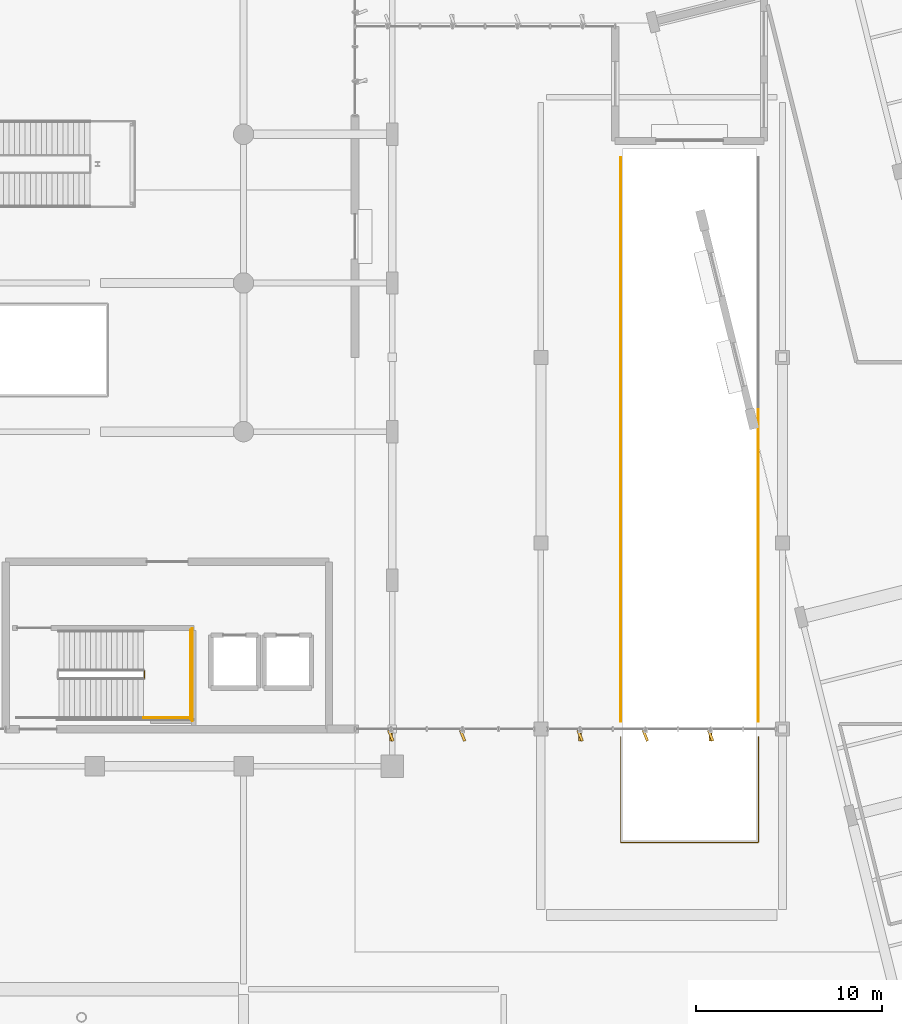
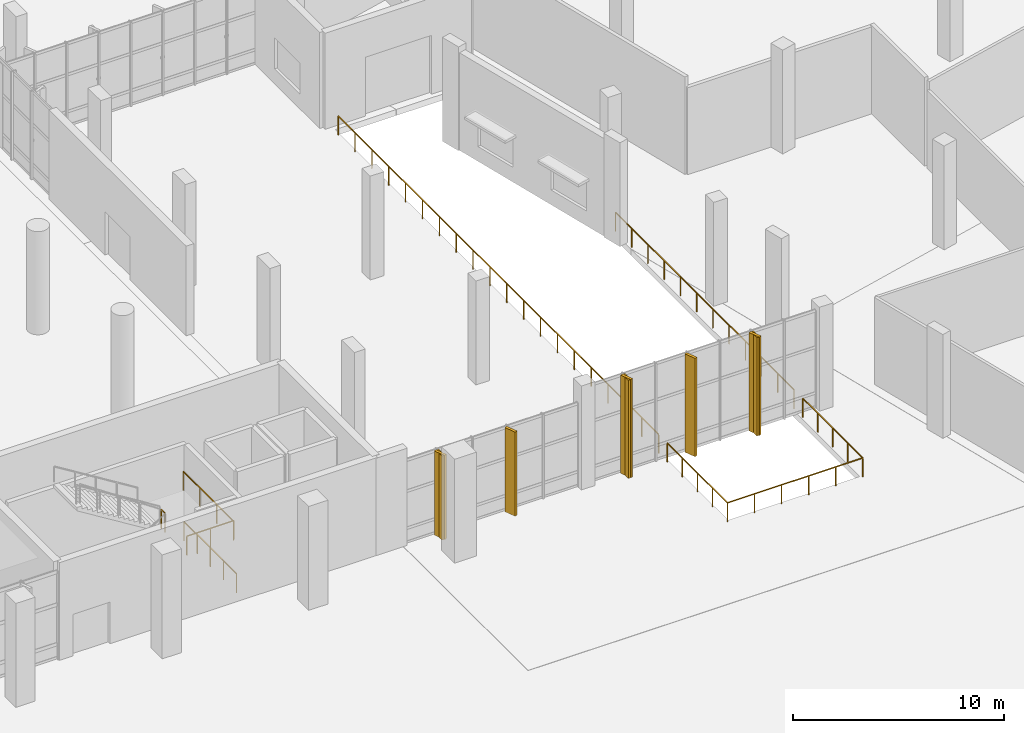
# One storey, part 156 of 163: 7 railings, 5 shading devices, 3 coverings.
"""IFC4 building model written with IfcOpenShell, lengths in metres."""

from ifc_helpers import new_model, si_unit, direction, frame, origin, origin_2d, place, context, subcontext, project, spatial, rectangle, extrude, material, layer, layer_set, type_object, element, save


model = new_model("IFC4")

# Units and contexts
model_context = context("Model", 3, precision=1e-05, world=origin(), true_north=direction((0.0, 1.0)))
body_context = subcontext(model_context, "Body", "Model", "MODEL_VIEW")
ifc_project = project(units=[si_unit("LENGTHUNIT", "METRE"), si_unit("AREAUNIT", "SQUARE_METRE"), si_unit("VOLUMEUNIT", "CUBIC_METRE"), si_unit("PLANEANGLEUNIT", "RADIAN"), si_unit("MASSUNIT", "GRAM", prefix="KILO")], contexts=[model_context])

# Site, building, storey
site_placement = place(None, origin())
site = spatial("IfcSite", under=ifc_project, at=site_placement, CompositionType="ELEMENT")
building_placement = place(site_placement, origin())
building = spatial("IfcBuilding", under=site, at=building_placement, Name="Khorjan Park Terminus", CompositionType="ELEMENT")
storey_placement = place(building_placement, origin())
storey = spatial("IfcBuildingStorey", under=building, at=storey_placement, Name="L00", CompositionType="ELEMENT", Elevation=0.0)

# Coverings
ifc_material_1 = material(Name="Pigmented Precast GRC", Category="concrete")
ifc_layer = layer(ifc_material_1, 0.16)
ifc_layer_set = layer_set([ifc_layer], Name="Pigmented Precast GRC")
covering_type = type_object("IfcCoveringType", Name="CV-FIN-GRC", PredefinedType="CLADDING", material=ifc_layer_set)
covering_placement = place(storey_placement, frame((135.929, 27.645, -0.02), z_axis=(0.0, 0.0, 1.0), x_axis=(0.0, 1.0, 0.0)))
element("IfcCovering", 1, at=covering_placement, inside=storey, type_object=covering_type, Name="Projecting desert-sandstone GRC facade fin CL-FN1 (CW-V5L-S-L00-1-1)", PredefinedType="CLADDING", context=body_context, shape_type="SweptSolid", body=[
    extrude(rectangle(XDim=0.58, YDim=0.16, at=origin_2d()), origin(), (0.0, 0.0, 1.0), 4.865),
])
for number, where, z_axis, x_axis, name in (
    (2, (146.1107, 27.645, -0.02), (0.0, 0.0, 1.0), (0.0, 1.0, 0.0), "Projecting desert-sandstone GRC facade fin CL-FN1 (CW-V5L-S-L00-2-1)"),
    (3, (153.1336, 27.645, -0.02), (0.0, 0.0, 1.0), (0.0, 1.0, 0.0), "Projecting desert-sandstone GRC facade fin CL-FN1 (CW-V5L-S-L00-2-5)"),
):
    element("IfcCovering", number, at=place(storey_placement, frame(where, z_axis=z_axis, x_axis=x_axis)), inside=storey, type_object=covering_type, Name=name, PredefinedType="CLADDING", context=body_context, shape_type="SweptSolid", body=[
        extrude(rectangle(XDim=0.58, YDim=0.16, at=origin_2d()), origin(), (0.0, 0.0, 1.0), 5.68),
    ])

# Railings
ifc_material_2 = material(Name="Steel S355", Category="steel")
railing_type_1 = type_object("IfcRailingType", Name="GR-112", PredefinedType="GUARDRAIL", material=ifc_material_2)
railing_1_placement = place(storey_placement, frame((122.67, 30.75, 3.0)))
element("IfcRailing", 4, at=railing_1_placement, inside=storey, type_object=railing_type_1, Name="L00 ST-02 stair guard 2", PredefinedType="GUARDRAIL", context=body_context, shape_type="SweptSolid", body=[
    extrude(rectangle(XDim=0.048, YDim=0.048, at=origin_2d()), frame((0.0, 0.0, 1.096), z_axis=(0.0, 1.0, 0.0), x_axis=(-1.0, 0.0, 0.0)), (0.0, 0.0, 1.0), 0.36),
    extrude(rectangle(XDim=0.042, YDim=0.042, at=origin_2d()), origin(), (0.0, 0.0, 1.0), 1.072),
    extrude(rectangle(XDim=0.042, YDim=0.042, at=origin_2d()), frame((0.0, 0.36, 0.0)), (0.0, 0.0, 1.0), 1.072),
])
railing_2_placement = place(storey_placement, frame((122.62, 28.6, 3.0)))
element("IfcRailing", 5, at=railing_2_placement, inside=storey, type_object=railing_type_1, Name="L00 ST-02 stair guard 3", PredefinedType="GUARDRAIL", context=body_context, shape_type="SweptSolid", body=[
    extrude(rectangle(XDim=0.048, YDim=0.048, at=origin_2d()), frame((0.0, 0.0, 1.096), z_axis=(1.0, 0.0, 0.0), x_axis=(0.0, 1.0, 0.0)), (0.0, 0.0, 1.0), 2.58),
    extrude(rectangle(XDim=0.042, YDim=0.042, at=origin_2d()), origin(), (0.0, 0.0, 1.0), 1.072),
    extrude(rectangle(XDim=0.042, YDim=0.042, at=origin_2d()), frame((1.29, 0.0, 0.0)), (0.0, 0.0, 1.0), 1.072),
    extrude(rectangle(XDim=0.042, YDim=0.042, at=origin_2d()), frame((2.58, 0.0, 0.0)), (0.0, 0.0, 1.0), 1.072),
])
railing_3_placement = place(storey_placement, frame((125.15, 28.55, 3.0)))
element("IfcRailing", 6, at=railing_3_placement, inside=storey, type_object=railing_type_1, Name="L00 ST-02 stair guard 4", PredefinedType="GUARDRAIL", context=body_context, shape_type="SweptSolid", body=[
    extrude(rectangle(XDim=0.048, YDim=0.048, at=origin_2d()), frame((0.0, 0.0, 1.096), z_axis=(0.0, 1.0, 0.0), x_axis=(-1.0, 0.0, 0.0)), (0.0, 0.0, 1.0), 4.76),
    extrude(rectangle(XDim=0.042, YDim=0.042, at=origin_2d()), origin(), (0.0, 0.0, 1.0), 1.072),
    extrude(rectangle(XDim=0.042, YDim=0.042, at=origin_2d()), frame((0.0, 1.5867, 0.0)), (0.0, 0.0, 1.0), 1.072),
    extrude(rectangle(XDim=0.042, YDim=0.042, at=origin_2d()), frame((0.0, 3.1733, 0.0)), (0.0, 0.0, 1.0), 1.072),
    extrude(rectangle(XDim=0.042, YDim=0.042, at=origin_2d()), frame((0.0, 4.76, 0.0)), (0.0, 0.0, 1.0), 1.072),
])
railing_4_placement = place(storey_placement, frame((125.25, 28.45, 0.0)))
element("IfcRailing", 7, at=railing_4_placement, inside=storey, type_object=railing_type_1, Name="L00 ST-02 stair guard 9", PredefinedType="GUARDRAIL", context=body_context, shape_type="SweptSolid", body=[
    extrude(rectangle(XDim=0.048, YDim=0.048, at=origin_2d()), frame((0.0, 0.0, 1.096), z_axis=(0.0, 1.0, 0.0), x_axis=(-1.0, 0.0, 0.0)), (0.0, 0.0, 1.0), 4.96),
    extrude(rectangle(XDim=0.042, YDim=0.042, at=origin_2d()), origin(), (0.0, 0.0, 1.0), 1.072),
    extrude(rectangle(XDim=0.042, YDim=0.042, at=origin_2d()), frame((0.0, 1.24, 0.0)), (0.0, 0.0, 1.0), 1.072),
    extrude(rectangle(XDim=0.042, YDim=0.042, at=origin_2d()), frame((0.0, 2.48, 0.0)), (0.0, 0.0, 1.0), 1.072),
    extrude(rectangle(XDim=0.042, YDim=0.042, at=origin_2d()), frame((0.0, 3.72, 0.0)), (0.0, 0.0, 1.0), 1.072),
    extrude(rectangle(XDim=0.042, YDim=0.042, at=origin_2d()), frame((0.0, 4.96, 0.0)), (0.0, 0.0, 1.0), 1.072),
])
ifc_material_3 = material(Name="Anodized Bronze Aluminium & Laminated Glass", Category="aluminium")
railing_type_2 = type_object("IfcRailingType", Name="GR-BAL", PredefinedType="BALUSTRADE", material=ifc_material_3)
railing_5_placement = place(storey_placement, frame((148.3, 27.59, 0.0)))
element("IfcRailing", 8, at=railing_5_placement, inside=storey, type_object=railing_type_2, Name="Perimeter safety guard GB-112 (L00-8)", PredefinedType="BALUSTRADE", context=body_context, shape_type="SweptSolid", body=[
    extrude(rectangle(XDim=0.048, YDim=0.048, at=origin_2d()), frame((0.0, 0.0, 1.096), z_axis=(0.0, -1.0, 0.0), x_axis=(1.0, 0.0, 0.0)), (0.0, 0.0, 1.0), 5.69),
    extrude(rectangle(XDim=0.048, YDim=0.048, at=origin_2d()), frame((0.0, -5.69, 1.096), z_axis=(1.0, 0.0, 0.0), x_axis=(0.0, 1.0, 0.0)), (0.0, 0.0, 1.0), 7.4),
    extrude(rectangle(XDim=0.048, YDim=0.048, at=origin_2d()), frame((7.4, -5.69, 1.096), z_axis=(0.0, 1.0, 0.0), x_axis=(-1.0, 0.0, 0.0)), (0.0, 0.0, 1.0), 5.69),
    extrude(rectangle(XDim=0.042, YDim=0.042, at=origin_2d()), origin(), (0.0, 0.0, 1.0), 1.072),
    extrude(rectangle(XDim=0.042, YDim=0.042, at=origin_2d()), frame((0.0, -1.4225, 0.0)), (0.0, 0.0, 1.0), 1.072),
    extrude(rectangle(XDim=0.042, YDim=0.042, at=origin_2d()), frame((0.0, -2.845, 0.0)), (0.0, 0.0, 1.0), 1.072),
    extrude(rectangle(XDim=0.042, YDim=0.042, at=origin_2d()), frame((0.0, -4.2675, 0.0)), (0.0, 0.0, 1.0), 1.072),
    extrude(rectangle(XDim=0.042, YDim=0.042, at=origin_2d()), frame((0.0, -5.69, 0.0)), (0.0, 0.0, 1.0), 1.072),
    extrude(rectangle(XDim=0.042, YDim=0.042, at=origin_2d()), frame((1.48, -5.69, 0.0)), (0.0, 0.0, 1.0), 1.072),
    extrude(rectangle(XDim=0.042, YDim=0.042, at=origin_2d()), frame((2.96, -5.69, 0.0)), (0.0, 0.0, 1.0), 1.072),
    extrude(rectangle(XDim=0.042, YDim=0.042, at=origin_2d()), frame((4.44, -5.69, 0.0)), (0.0, 0.0, 1.0), 1.072),
    extrude(rectangle(XDim=0.042, YDim=0.042, at=origin_2d()), frame((5.92, -5.69, 0.0)), (0.0, 0.0, 1.0), 1.072),
    extrude(rectangle(XDim=0.042, YDim=0.042, at=origin_2d()), frame((7.4, -5.69, 0.0)), (0.0, 0.0, 1.0), 1.072),
    extrude(rectangle(XDim=0.042, YDim=0.042, at=origin_2d()), frame((7.4, -4.2675, 0.0)), (0.0, 0.0, 1.0), 1.072),
    extrude(rectangle(XDim=0.042, YDim=0.042, at=origin_2d()), frame((7.4, -2.845, 0.0)), (0.0, 0.0, 1.0), 1.072),
    extrude(rectangle(XDim=0.042, YDim=0.042, at=origin_2d()), frame((7.4, -1.4225, 0.0)), (0.0, 0.0, 1.0), 1.072),
    extrude(rectangle(XDim=0.042, YDim=0.042, at=origin_2d()), frame((7.4, 0.0, 0.0)), (0.0, 0.0, 1.0), 1.072),
])
railing_6_placement = place(storey_placement, frame((155.7, 28.41, 0.0)))
element("IfcRailing", 9, at=railing_6_placement, inside=storey, type_object=railing_type_2, Name="Perimeter safety guard GB-112 (L00-10)", PredefinedType="BALUSTRADE", context=body_context, shape_type="SweptSolid", body=[
    extrude(rectangle(XDim=0.048, YDim=0.048, at=origin_2d()), frame((0.0, 0.0, 1.096), z_axis=(0.0, 1.0, 0.0), x_axis=(-1.0, 0.0, 0.0)), (0.0, 0.0, 1.0), 16.8998),
    extrude(rectangle(XDim=0.042, YDim=0.042, at=origin_2d()), origin(), (0.0, 0.0, 1.0), 1.072),
    extrude(rectangle(XDim=0.042, YDim=0.042, at=origin_2d()), frame((0.0, 1.5363, 0.0)), (0.0, 0.0, 1.0), 1.072),
    extrude(rectangle(XDim=0.042, YDim=0.042, at=origin_2d()), frame((0.0, 3.0727, 0.0)), (0.0, 0.0, 1.0), 1.072),
    extrude(rectangle(XDim=0.042, YDim=0.042, at=origin_2d()), frame((0.0, 4.609, 0.0)), (0.0, 0.0, 1.0), 1.072),
    extrude(rectangle(XDim=0.042, YDim=0.042, at=origin_2d()), frame((0.0, 6.1454, 0.0)), (0.0, 0.0, 1.0), 1.072),
    extrude(rectangle(XDim=0.042, YDim=0.042, at=origin_2d()), frame((0.0, 7.6817, 0.0)), (0.0, 0.0, 1.0), 1.072),
    extrude(rectangle(XDim=0.042, YDim=0.042, at=origin_2d()), frame((0.0, 9.2181, 0.0)), (0.0, 0.0, 1.0), 1.072),
    extrude(rectangle(XDim=0.042, YDim=0.042, at=origin_2d()), frame((0.0, 10.7544, 0.0)), (0.0, 0.0, 1.0), 1.072),
    extrude(rectangle(XDim=0.042, YDim=0.042, at=origin_2d()), frame((0.0, 12.2908, 0.0)), (0.0, 0.0, 1.0), 1.072),
    extrude(rectangle(XDim=0.042, YDim=0.042, at=origin_2d()), frame((0.0, 13.8271, 0.0)), (0.0, 0.0, 1.0), 1.072),
    extrude(rectangle(XDim=0.042, YDim=0.042, at=origin_2d()), frame((0.0, 15.3635, 0.0)), (0.0, 0.0, 1.0), 1.072),
    extrude(rectangle(XDim=0.042, YDim=0.042, at=origin_2d()), frame((0.0, 16.8998, 0.0)), (0.0, 0.0, 1.0), 1.072),
])
railing_type_3 = type_object("IfcRailingType", Name="GR-EXT", PredefinedType="GUARDRAIL", material=ifc_material_2)
railing_7_placement = place(storey_placement, frame((148.3, 58.75, 0.0)))
element("IfcRailing", 10, at=railing_7_placement, inside=storey, type_object=railing_type_3, Name="Perimeter safety guard GR-EXT (L00-9)", PredefinedType="GUARDRAIL", context=body_context, shape_type="SweptSolid", body=[
    extrude(rectangle(XDim=0.048, YDim=0.048, at=origin_2d()), frame((0.0, 0.0, 1.096), z_axis=(0.0, -1.0, 0.0), x_axis=(1.0, 0.0, 0.0)), (0.0, 0.0, 1.0), 30.34),
    extrude(rectangle(XDim=0.042, YDim=0.042, at=origin_2d()), origin(), (0.0, 0.0, 1.0), 1.072),
    extrude(rectangle(XDim=0.042, YDim=0.042, at=origin_2d()), frame((0.0, -1.5968, 0.0)), (0.0, 0.0, 1.0), 1.072),
    extrude(rectangle(XDim=0.042, YDim=0.042, at=origin_2d()), frame((0.0, -3.1937, 0.0)), (0.0, 0.0, 1.0), 1.072),
    extrude(rectangle(XDim=0.042, YDim=0.042, at=origin_2d()), frame((0.0, -4.7905, 0.0)), (0.0, 0.0, 1.0), 1.072),
    extrude(rectangle(XDim=0.042, YDim=0.042, at=origin_2d()), frame((0.0, -6.3874, 0.0)), (0.0, 0.0, 1.0), 1.072),
    extrude(rectangle(XDim=0.042, YDim=0.042, at=origin_2d()), frame((0.0, -7.9842, 0.0)), (0.0, 0.0, 1.0), 1.072),
    extrude(rectangle(XDim=0.042, YDim=0.042, at=origin_2d()), frame((0.0, -9.5811, 0.0)), (0.0, 0.0, 1.0), 1.072),
    extrude(rectangle(XDim=0.042, YDim=0.042, at=origin_2d()), frame((0.0, -11.1779, 0.0)), (0.0, 0.0, 1.0), 1.072),
    extrude(rectangle(XDim=0.042, YDim=0.042, at=origin_2d()), frame((0.0, -12.7747, 0.0)), (0.0, 0.0, 1.0), 1.072),
    extrude(rectangle(XDim=0.042, YDim=0.042, at=origin_2d()), frame((0.0, -14.3716, 0.0)), (0.0, 0.0, 1.0), 1.072),
    extrude(rectangle(XDim=0.042, YDim=0.042, at=origin_2d()), frame((0.0, -15.9684, 0.0)), (0.0, 0.0, 1.0), 1.072),
    extrude(rectangle(XDim=0.042, YDim=0.042, at=origin_2d()), frame((0.0, -17.5653, 0.0)), (0.0, 0.0, 1.0), 1.072),
    extrude(rectangle(XDim=0.042, YDim=0.042, at=origin_2d()), frame((0.0, -19.1621, 0.0)), (0.0, 0.0, 1.0), 1.072),
    extrude(rectangle(XDim=0.042, YDim=0.042, at=origin_2d()), frame((0.0, -20.7589, 0.0)), (0.0, 0.0, 1.0), 1.072),
    extrude(rectangle(XDim=0.042, YDim=0.042, at=origin_2d()), frame((0.0, -22.3558, 0.0)), (0.0, 0.0, 1.0), 1.072),
    extrude(rectangle(XDim=0.042, YDim=0.042, at=origin_2d()), frame((0.0, -23.9526, 0.0)), (0.0, 0.0, 1.0), 1.072),
    extrude(rectangle(XDim=0.042, YDim=0.042, at=origin_2d()), frame((0.0, -25.5495, 0.0)), (0.0, 0.0, 1.0), 1.072),
    extrude(rectangle(XDim=0.042, YDim=0.042, at=origin_2d()), frame((0.0, -27.1463, 0.0)), (0.0, 0.0, 1.0), 1.072),
    extrude(rectangle(XDim=0.042, YDim=0.042, at=origin_2d()), frame((0.0, -28.7432, 0.0)), (0.0, 0.0, 1.0), 1.072),
    extrude(rectangle(XDim=0.042, YDim=0.042, at=origin_2d()), frame((0.0, -30.34, 0.0)), (0.0, 0.0, 1.0), 1.072),
])

# Shading devices
ifc_material_4 = material(Name="Anodized Bronze Aluminium", Category="aluminium")
shading_device_type = type_object("IfcShadingDeviceType", Name="SD-FIN-620", PredefinedType="JALOUSIE", material=ifc_material_4)
for number, where, z_axis, x_axis, name in (
    (11, (135.929, 27.645, -0.02), (0.0, 0.0, 1.0), (-0.374606593416, 0.927183854567, 0.0), "Angled solar brise-soleil fin SF-62 (CW-V5L-S-L00-1-1)"),
    (12, (139.787, 27.645, -0.02), (0.0, 0.0, 1.0), (-0.374606593416, 0.927183854567, 0.0), "Angled solar brise-soleil fin SF-62 (CW-V5L-S-L00-1-3)"),
):
    element("IfcShadingDevice", number, at=place(storey_placement, frame(where, z_axis=z_axis, x_axis=x_axis)), inside=storey, type_object=shading_device_type, Name=name, PredefinedType="JALOUSIE", context=body_context, shape_type="SweptSolid", body=[
        extrude(rectangle(XDim=0.62, YDim=0.14, at=origin_2d()), origin(), (0.0, 0.0, 1.0), 4.865),
    ])
for number, where, z_axis, x_axis, name in (
    (13, (146.1107, 27.645, -0.02), (0.0, 0.0, 1.0), (-0.374606593416, 0.927183854567, 0.0), "Angled solar brise-soleil fin SF-62 (CW-V5L-S-L00-2-1)"),
    (14, (149.6221, 27.645, -0.02), (0.0, 0.0, 1.0), (-0.374606593416, 0.927183854567, 0.0), "Angled solar brise-soleil fin SF-62 (CW-V5L-S-L00-2-3)"),
    (15, (153.1336, 27.645, -0.02), (0.0, 0.0, 1.0), (-0.374606593416, 0.927183854567, 0.0), "Angled solar brise-soleil fin SF-62 (CW-V5L-S-L00-2-5)"),
):
    element("IfcShadingDevice", number, at=place(storey_placement, frame(where, z_axis=z_axis, x_axis=x_axis)), inside=storey, type_object=shading_device_type, Name=name, PredefinedType="JALOUSIE", context=body_context, shape_type="SweptSolid", body=[
        extrude(rectangle(XDim=0.62, YDim=0.14, at=origin_2d()), origin(), (0.0, 0.0, 1.0), 5.68),
    ])

save(model, "model.ifc")
